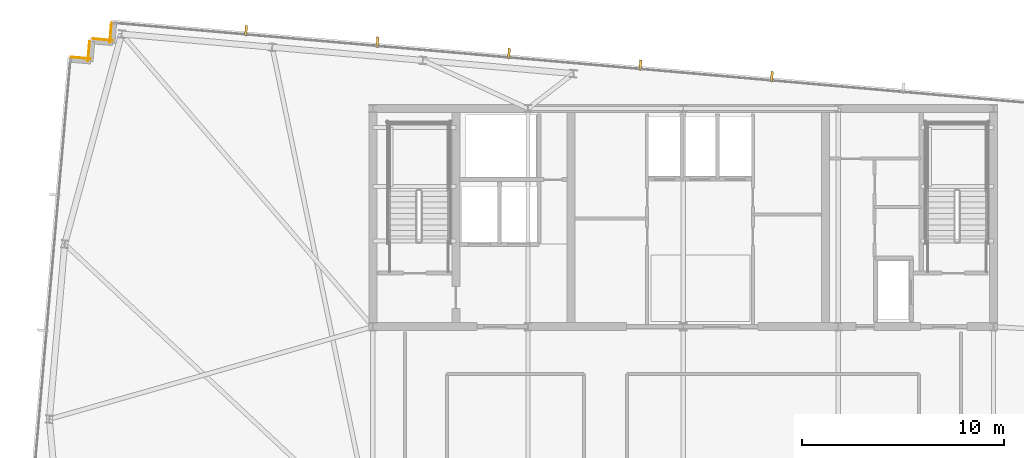
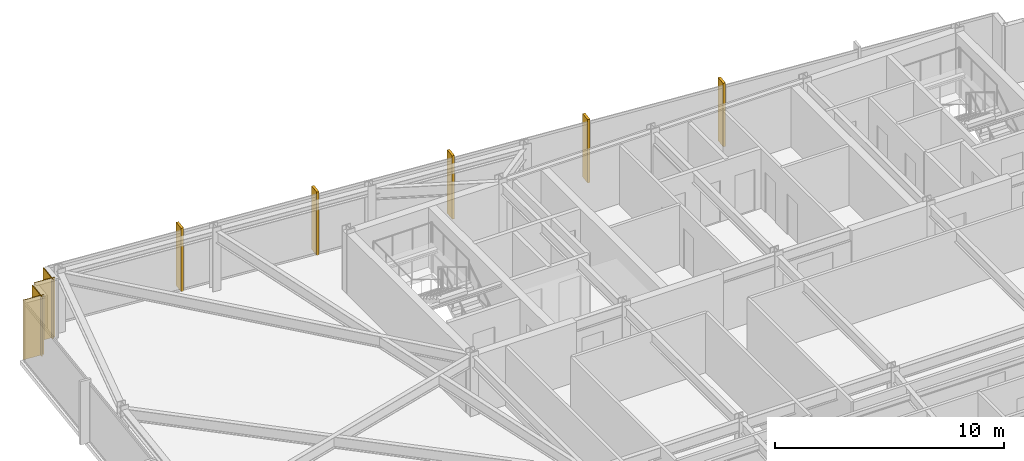
# One storey, part 32 of 32: 5 shading devices, 4 coverings.
"""IFC4 building model written with IfcOpenShell, lengths in metres."""

from ifc_helpers import new_model, si_unit, direction, frame, frame_2d, origin, origin_2d, place, context, subcontext, project, spatial, rectangle, extrude, material, layer, layer_set, type_object, element, save


model = new_model("IFC4")

# Units and contexts
model_context = context("Model", 3, precision=1e-05, world=origin(), true_north=direction((0.0, 1.0)))
body_context = subcontext(model_context, "Body", "Model", "MODEL_VIEW")
ifc_project = project(units=[si_unit("LENGTHUNIT", "METRE"), si_unit("AREAUNIT", "SQUARE_METRE"), si_unit("VOLUMEUNIT", "CUBIC_METRE"), si_unit("PLANEANGLEUNIT", "RADIAN"), si_unit("MASSUNIT", "GRAM", prefix="KILO")], contexts=[model_context])

# Site, building, storey
site_placement = place(None, origin())
site = spatial("IfcSite", under=ifc_project, at=site_placement, CompositionType="ELEMENT")
building_placement = place(site_placement, origin())
building = spatial("IfcBuilding", under=site, at=building_placement, Name="Yelkora Congress Tower", CompositionType="ELEMENT")
storey_placement = place(building_placement, frame((0.0, 0.0, 276.10009765625)))
storey = spatial("IfcBuildingStorey", under=building, at=storey_placement, Name="L77", CompositionType="ELEMENT", Elevation=276.10009765625)

# Coverings
ifc_material_1 = material(Name="Anatolian bush-hammered limestone", Category="masonry")
ifc_layer_1 = layer(ifc_material_1, 0.0400390625)
ifc_layer_set_1 = layer_set([ifc_layer_1], Name="Anatolian bush-hammered limestone")
covering_type = type_object("IfcCoveringType", Name="COV-CLAD-SPANDREL-40", PredefinedType="CLADDING", material=ifc_layer_set_1)
for number, where, z_axis, x_axis, name in (
    (1, (8.0849609375, 48.744140625, 0.0), (0.0, 0.0, 1.0), (0.996195572005, -0.087145753297, 0.0), "L77 Anatolian Limestone Cladding EW-L77-SR06"),
    (2, (8.93505859375, 48.5341796875, 0.0), (0.0, 0.0, 1.0), (0.087145753297, 0.996195572005, 0.0), "L77 Anatolian Limestone Cladding EW-L77-SR07"),
):
    element("IfcCovering", number, at=place(storey_placement, frame(where, z_axis=z_axis, x_axis=x_axis)), inside=storey, type_object=covering_type, Name=name, PredefinedType="CLADDING", context=body_context, shape_type="SweptSolid", body=[
        extrude(rectangle(XDim=1.000244140625, YDim=0.0400390625, at=frame_2d((0.5, 0.0))), origin(), (0.0, 0.0, 1.0), 3.179931640625),
    ])
covering_1_placement = place(storey_placement, frame((9.16845703125, 49.6533203125, 0.0), z_axis=(0.0, 0.0, 1.0), x_axis=(0.996193717496, -0.087166950281, 0.0)))
element("IfcCovering", 3, at=covering_1_placement, inside=storey, type_object=covering_type, Name="L77 Anatolian Limestone Cladding EW-L77-SR08", PredefinedType="CLADDING", context=body_context, shape_type="SweptSolid", body=[
    extrude(rectangle(XDim=1.0, YDim=0.0400390625, at=frame_2d((0.5, 0.0))), origin(), (0.0, 0.0, 1.0), 3.179931640625),
])
covering_2_placement = place(storey_placement, frame((10.018310546875, 49.443359375, 0.0), z_axis=(0.0, 0.0, 1.0), x_axis=(0.087145753297, 0.996195572005, 0.0)))
element("IfcCovering", 4, at=covering_2_placement, inside=storey, type_object=covering_type, Name="L77 Anatolian Limestone Cladding EW-L77-SR09", PredefinedType="CLADDING", context=body_context, shape_type="SweptSolid", body=[
    extrude(rectangle(XDim=1.000244140625, YDim=0.0400390625, at=frame_2d((0.5, 0.0))), origin(), (0.0, 0.0, 1.0), 3.179931640625),
])

# Shading devices
ifc_material_2 = material(Name="Champagne anodised aluminium", Category="aluminium")
ifc_layer_2 = layer(ifc_material_2, 3.300048828125)
ifc_layer_set_2 = layer_set([ifc_layer_2], Name="Champagne anodised aluminium")
shading_device_type = type_object("IfcShadingDeviceType", Name="SHD-FIN-ALU-520", PredefinedType="USERDEFINED", material=ifc_layer_set_2)
for number, where, z_axis, x_axis, name in (
    (5, (16.763916015625, 50.057861328125, -0.030029296875), (0.0, 0.0, 1.0), (0.996194698092, -0.087155742748, 0.0), "L77 Vertical Anodised Solar Fin 10-1"),
    (6, (23.2705078125, 49.488525390625, -0.030029296875), (0.0, 0.0, 1.0), (0.996194698092, -0.087155742748, 0.0), "L77 Vertical Anodised Solar Fin 10-2"),
    (7, (29.777099609375, 48.919189453125, -0.030029296875), (0.0, 0.0, 1.0), (0.996194698092, -0.087155742748, 0.0), "L77 Vertical Anodised Solar Fin 10-3"),
    (8, (36.28369140625, 48.35009765625, -0.030029296875), (0.0, 0.0, 1.0), (0.996194698092, -0.087155742748, 0.0), "L77 Vertical Anodised Solar Fin 10-4"),
    (9, (42.790283203125, 47.78076171875, -0.030029296875), (0.0, 0.0, 1.0), (0.996194698092, -0.087155742748, 0.0), "L77 Vertical Anodised Solar Fin 10-5"),
):
    element("IfcShadingDevice", number, at=place(storey_placement, frame(where, z_axis=z_axis, x_axis=x_axis)), inside=storey, type_object=shading_device_type, Name=name, ObjectType="FIN", PredefinedType="USERDEFINED", context=body_context, shape_type="SweptSolid", body=[
        extrude(rectangle(XDim=0.1201171875, YDim=0.52001953125, at=origin_2d()), origin(), (0.0, 0.0, 1.0), 3.3798828125),
    ])

save(model, "model.ifc")
